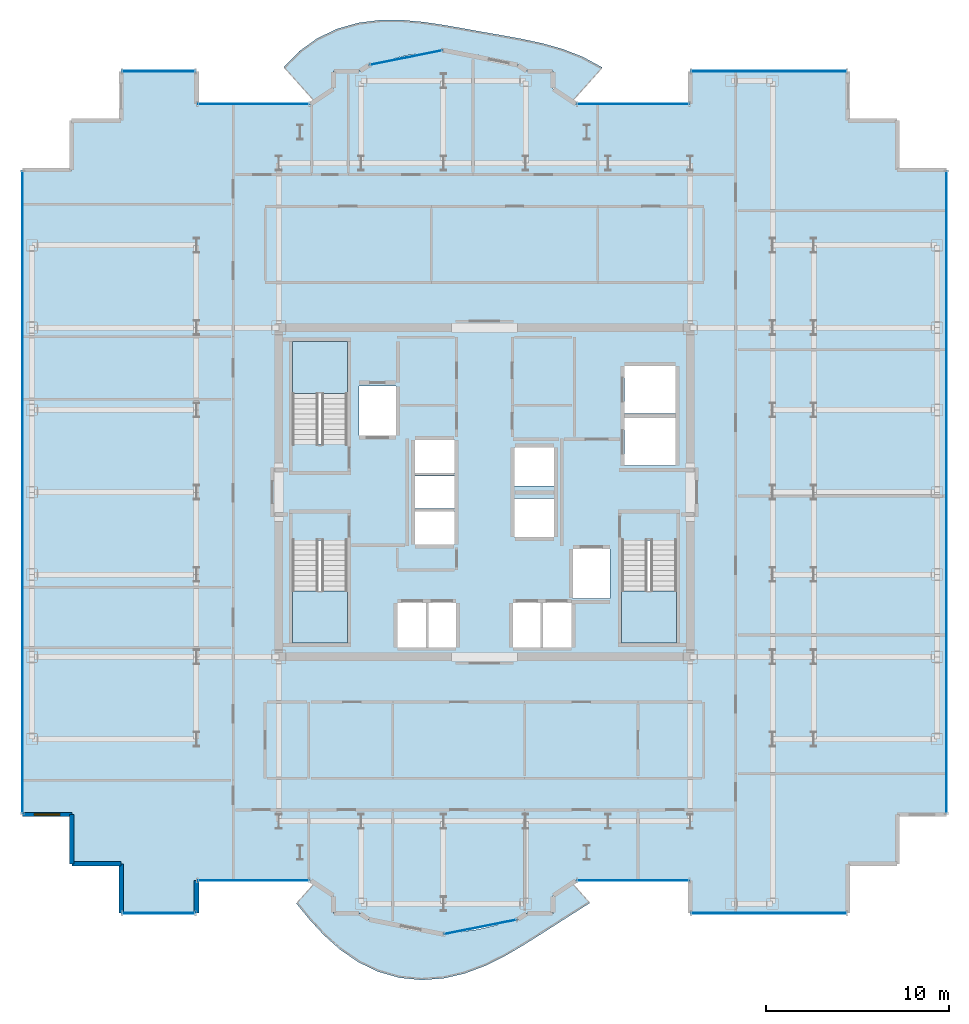
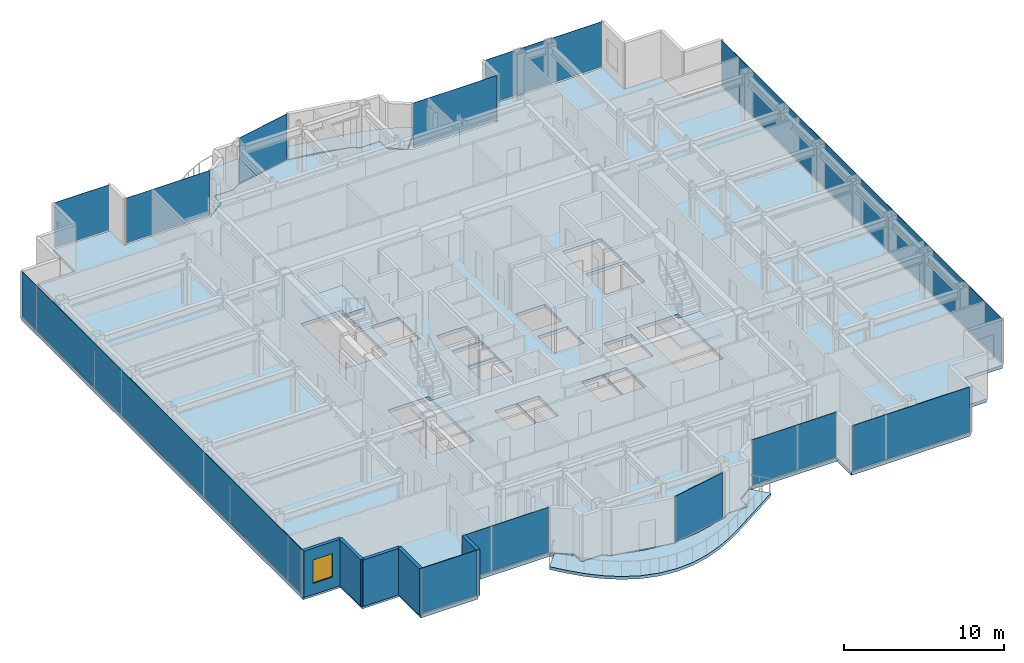
# One storey, part 13 of 21: 12 plates, 6 slabs, 5 walls, 1 window, 1 opening, 15 elements without a shape of their own.
"""IFC4 building model written with IfcOpenShell, lengths in metres."""

from ifc_helpers import new_model, si_unit, direction, frame, frame_2d, origin, origin_2d, place, context, subcontext, project, spatial, polyline, rectangle, outline, extrude, source, transform, mapped, material, layer, layer_set, type_object, element, fill, aggregate, save


model = new_model("IFC4")

# Units and contexts
model_context = context("Model", 3, precision=1e-05, world=origin(), true_north=direction((0.0, 1.0)))
body_context = subcontext(model_context, "Body", "Model", "MODEL_VIEW")
ifc_project = project(units=[si_unit("LENGTHUNIT", "METRE"), si_unit("AREAUNIT", "SQUARE_METRE"), si_unit("VOLUMEUNIT", "CUBIC_METRE"), si_unit("PLANEANGLEUNIT", "RADIAN"), si_unit("MASSUNIT", "GRAM", prefix="KILO")], contexts=[model_context])

# Site, building, storey
site_placement = place(None, origin())
site = spatial("IfcSite", under=ifc_project, at=site_placement, CompositionType="ELEMENT")
building_placement = place(site_placement, origin())
building = spatial("IfcBuilding", under=site, at=building_placement, Name="Nefas-Gora Pilgrimage Tower", CompositionType="ELEMENT")
storey_placement = place(building_placement, frame((0.0, 0.0, 233.199951171875)))
storey = spatial("IfcBuildingStorey", under=building, at=storey_placement, Name="L58", CompositionType="ELEMENT", Elevation=233.199951171875)

# Slabs
ifc_material_1 = material(Name="Concrete C40/50", Category="concrete")
ifc_layer_1 = layer(ifc_material_1, 0.219970703125)
ifc_layer_set_1 = layer_set([ifc_layer_1], Name="Concrete C40/50")
slab_type_1 = type_object("IfcSlabType", Name="SLB-BAL-P3", PredefinedType="FLOOR", material=ifc_layer_set_1)
slab_1_placement = place(storey_placement, frame((0.0, 0.0, -0.219970703125)))
element("IfcSlab", 1, at=slab_1_placement, inside=storey, type_object=slab_type_1, Name="L58 Sinusoidal Lobe Balcony Slab N (Phase 3)", PredefinedType="FLOOR", context=body_context, shape_type="SweptSolid", body=[
    extrude(outline(polyline([(-9.28759765625, 21.385986328125), (-9.224609375, 21.427978515625), (-8.538330078125, 21.9912109375), (-8.260009765625, 22.179931640625), (-8.260009765625, 23.02001953125), (-8.260009765625, 23.02099609375), (-8.259765625, 23.02197265625), (-8.259521484375, 23.02294921875), (-8.25927734375, 23.023681640625), (-8.2587890625, 23.024658203125), (-8.25830078125, 23.025634765625), (-8.2578125, 23.0263671875), (-8.257080078125, 23.027099609375), (-8.25634765625, 23.027587890625), (-8.255615234375, 23.0283203125), (-8.254638671875, 23.02880859375), (-8.25390625, 23.029296875), (-8.2529296875, 23.029541015625), (-8.251953125, 23.02978515625), (-8.2509765625, 23.030029296875), (-8.25, 23.030029296875), (-6.8271484375, 23.030029296875), (-6.31298828125, 23.37353515625), (-6.31201171875, 23.3740234375), (-6.311279296875, 23.37451171875), (-6.310302734375, 23.375), (-6.309326171875, 23.375), (-5.63037109375, 23.51025390625), (-5.102783203125, 23.685302734375), (-4.165283203125, 23.904052734375), (-3.211669921875, 24.035888671875), (-2.919921875, 24.04931640625), (-2.251953125, 24.18212890625), (-2.2509765625, 24.182373046875), (-2.25, 24.182373046875), (-2.2490234375, 24.182373046875), (-2.248046875, 24.18212890625), (-1.580078125, 24.04931640625), (-1.288330078125, 24.035888671875), (-0.334716796875, 23.904052734375), (0.602783203125, 23.685302734375), (1.13037109375, 23.51025390625), (1.809326171875, 23.375), (1.810302734375, 23.375), (1.811279296875, 23.37451171875), (1.81201171875, 23.3740234375), (1.81298828125, 23.37353515625), (2.3271484375, 23.030029296875), (3.75, 23.030029296875), (3.7509765625, 23.030029296875), (3.751953125, 23.02978515625), (3.7529296875, 23.029541015625), (3.75390625, 23.029296875), (3.754638671875, 23.02880859375), (3.755615234375, 23.0283203125), (3.75634765625, 23.027587890625), (3.757080078125, 23.027099609375), (3.7578125, 23.0263671875), (3.75830078125, 23.025634765625), (3.7587890625, 23.024658203125), (3.75927734375, 23.023681640625), (3.759521484375, 23.02294921875), (3.759765625, 23.02197265625), (3.760009765625, 23.02099609375), (3.760009765625, 23.02001953125), (3.760009765625, 22.179931640625), (4.038330078125, 21.9912109375), (4.724609375, 21.427978515625), (4.78759765625, 21.385986328125), (6.4453125, 23.22705078125), (5.391357421875, 23.802978515625), (4.284912109375, 24.234130859375), (3.16455078125, 24.5498046875), (2.055908203125, 24.787353515625), (0.969482421875, 24.985107421875), (-0.099609375, 25.172607421875), (-1.166259765625, 25.3642578125), (-2.25, 25.554931640625), (-3.366455078125, 25.720947265625), (-4.521240234375, 25.824951171875), (-5.70556640625, 25.822509765625), (-6.8955078125, 25.672119140625), (-8.055908203125, 25.343505859375), (-9.14599609375, 24.8232421875), (-10.127197265625, 24.118896484375), (-10.9716796875, 23.25634765625), (-9.28759765625, 21.385986328125)])), origin(), (0.0, 0.0, 1.0), 0.219970703125),
])
ifc_layer_2 = layer(ifc_material_1, 0.22509765625)
ifc_layer_set_2 = layer_set([ifc_layer_2], Name="Concrete C40/50")
slab_type_2 = type_object("IfcSlabType", Name="SLB-BAL-P7", PredefinedType="FLOOR", material=ifc_layer_set_2)
slab_2_placement = place(storey_placement, frame((0.0, 0.0, -0.224853515625)))
element("IfcSlab", 2, at=slab_2_placement, inside=storey, type_object=slab_type_2, Name="L58 Sinusoidal Lobe Balcony Slab S (Phase 7)", PredefinedType="FLOOR", context=body_context, shape_type="SweptSolid", body=[
    extrude(outline(polyline([(4.78759765625, -21.385986328125), (4.724609375, -21.427978515625), (4.038330078125, -21.9912109375), (3.760009765625, -22.179931640625), (3.760009765625, -23.02001953125), (3.760009765625, -23.02099609375), (3.759765625, -23.02197265625), (3.759521484375, -23.02294921875), (3.75927734375, -23.023681640625), (3.7587890625, -23.024658203125), (3.75830078125, -23.025634765625), (3.7578125, -23.0263671875), (3.757080078125, -23.027099609375), (3.75634765625, -23.027587890625), (3.755615234375, -23.0283203125), (3.754638671875, -23.02880859375), (3.75390625, -23.029296875), (3.7529296875, -23.029541015625), (3.751953125, -23.02978515625), (3.7509765625, -23.030029296875), (3.75, -23.030029296875), (2.3271484375, -23.030029296875), (1.81298828125, -23.37353515625), (1.81201171875, -23.3740234375), (1.811279296875, -23.37451171875), (1.810302734375, -23.375), (1.809326171875, -23.375), (1.13037109375, -23.51025390625), (0.602783203125, -23.685302734375), (-0.334716796875, -23.904052734375), (-1.288330078125, -24.035888671875), (-1.580078125, -24.04931640625), (-2.248046875, -24.18212890625), (-2.2490234375, -24.182373046875), (-2.25, -24.182373046875), (-2.2509765625, -24.182373046875), (-2.251953125, -24.18212890625), (-2.919921875, -24.04931640625), (-3.211669921875, -24.035888671875), (-4.165283203125, -23.904052734375), (-5.102783203125, -23.685302734375), (-5.63037109375, -23.51025390625), (-6.309326171875, -23.375), (-6.310302734375, -23.375), (-6.311279296875, -23.37451171875), (-6.31201171875, -23.3740234375), (-6.31298828125, -23.37353515625), (-6.8271484375, -23.030029296875), (-8.25, -23.030029296875), (-8.2509765625, -23.030029296875), (-8.251953125, -23.02978515625), (-8.2529296875, -23.029541015625), (-8.25390625, -23.029296875), (-8.254638671875, -23.02880859375), (-8.255615234375, -23.0283203125), (-8.25634765625, -23.027587890625), (-8.257080078125, -23.027099609375), (-8.2578125, -23.0263671875), (-8.25830078125, -23.025634765625), (-8.2587890625, -23.024658203125), (-8.25927734375, -23.023681640625), (-8.259521484375, -23.02294921875), (-8.259765625, -23.02197265625), (-8.260009765625, -23.02099609375), (-8.260009765625, -23.02001953125), (-8.260009765625, -22.179931640625), (-8.538330078125, -21.9912109375), (-9.224609375, -21.427978515625), (-9.28759765625, -21.385986328125), (-10.282958984375, -22.491455078125), (-9.56689453125, -23.368408203125), (-8.77734375, -24.2216796875), (-7.892578125, -25.01220703125), (-6.9033203125, -25.692138671875), (-5.816650390625, -26.21630859375), (-4.655517578125, -26.548583984375), (-3.453857421875, -26.6708984375), (-2.25, -26.585205078125), (-1.0791015625, -26.314208984375), (0.03466796875, -25.896484375), (1.080322265625, -25.37890625), (2.063720703125, -24.807373046875), (3.001220703125, -24.218505859375), (3.91650390625, -23.6328125), (4.830810546875, -23.052490234375), (5.756591796875, -22.462158203125), (4.78759765625, -21.385986328125)])), origin(), (0.0, 0.0, 1.0), 0.224853515625),
])
ifc_layer_3 = layer(ifc_material_1, 0.25)
ifc_layer_set_3 = layer_set([ifc_layer_3], Name="Concrete C40/50")
slab_type_3 = type_object("IfcSlabType", Name="SLB-TWR-260", PredefinedType="FLOOR", material=ifc_layer_set_3)
slab_3_placement = place(storey_placement, frame((0.0, 0.0, -0.25)))
element("IfcSlab", 3, at=slab_3_placement, inside=storey, type_object=slab_type_3, Name="L58 Structural Floor Slab", PredefinedType="FLOOR", context=body_context, shape_type="SweptSolid", body=[
    extrude(outline(polyline([(5.01806640625, -21.219970703125), (11.25, -21.219970703125), (11.25, -23.02001953125), (19.8701171875, -23.02001953125), (19.8701171875, -20.320068359375), (22.570068359375, -20.320068359375), (22.570068359375, -17.6201171875), (25.27001953125, -17.6201171875), (25.27001953125, 17.6201171875), (22.570068359375, 17.6201171875), (22.570068359375, 20.320068359375), (19.8701171875, 20.320068359375), (19.8701171875, 23.02001953125), (11.25, 23.02001953125), (11.25, 21.219970703125), (5.01806640625, 21.219970703125), (3.75, 22.0673828125), (3.75, 23.02001953125), (2.32421875, 23.02001953125), (1.807373046875, 23.365234375), (-2.25, 24.17236328125), (-6.307373046875, 23.365234375), (-6.82421875, 23.02001953125), (-8.25, 23.02001953125), (-8.25, 22.0673828125), (-9.51806640625, 21.219970703125), (-15.75, 21.219970703125), (-15.75, 23.02001953125), (-19.8701171875, 23.02001953125), (-19.8701171875, 20.320068359375), (-22.570068359375, 20.320068359375), (-22.570068359375, 17.6201171875), (-25.27001953125, 17.6201171875), (-25.27001953125, -17.6201171875), (-22.570068359375, -17.6201171875), (-22.570068359375, -20.320068359375), (-19.8701171875, -20.320068359375), (-19.8701171875, -23.02001953125), (-15.75, -23.02001953125), (-15.75, -21.219970703125), (-9.51806640625, -21.219970703125), (-8.25, -22.0673828125), (-8.25, -23.02001953125), (-6.82421875, -23.02001953125), (-6.307373046875, -23.365234375), (-2.25, -24.17236328125), (1.807373046875, -23.365234375), (2.32421875, -23.02001953125), (3.75, -23.02001953125), (3.75, -22.0673828125), (5.01806640625, -21.219970703125)]), holes=[polyline([(-10.5, 2.639892578125), (-10.5, 8.25), (-7.5, 8.25), (-7.5, 2.639892578125), (-10.5, 2.639892578125)]), polyline([(10.5, -2.639892578125), (10.5, -8.25), (7.5, -8.25), (7.5, -2.639892578125), (10.5, -2.639892578125)]), polyline([(-7.5, -2.639892578125), (-7.5, -8.25), (-10.5, -8.25), (-10.5, -2.639892578125), (-7.5, -2.639892578125)]), polyline([(-6.85009765625, 5.800048828125), (-4.85009765625, 5.800048828125), (-4.85009765625, 3.10009765625), (-6.85009765625, 3.10009765625), (-6.85009765625, 5.800048828125)]), polyline([(4.85009765625, -3.10009765625), (6.85009765625, -3.10009765625), (6.85009765625, -5.800048828125), (4.85009765625, -5.800048828125), (4.85009765625, -3.10009765625)]), polyline([(7.64990234375, 4.050048828125), (10.449951171875, 4.050048828125), (10.449951171875, 1.449951171875), (7.64990234375, 1.449951171875), (7.64990234375, 4.050048828125)]), polyline([(7.64990234375, 6.89990234375), (10.449951171875, 6.89990234375), (10.449951171875, 4.300048828125), (7.64990234375, 4.300048828125), (7.64990234375, 6.89990234375)]), polyline([(-4.75, -6.050048828125), (-3.14990234375, -6.050048828125), (-3.14990234375, -8.5), (-4.75, -8.5), (-4.75, -6.050048828125)]), polyline([(-3.10009765625, -6.050048828125), (-1.550048828125, -6.050048828125), (-1.550048828125, -8.5), (-3.10009765625, -8.5), (-3.10009765625, -6.050048828125)]), polyline([(1.550048828125, -6.050048828125), (3.10009765625, -6.050048828125), (3.10009765625, -8.5), (1.550048828125, -8.5), (1.550048828125, -6.050048828125)]), polyline([(3.14990234375, -6.050048828125), (4.75, -6.050048828125), (4.75, -8.5), (3.14990234375, -8.5), (3.14990234375, -6.050048828125)]), polyline([(-3.800048828125, -1.050048828125), (-1.64990234375, -1.050048828125), (-1.64990234375, -2.85009765625), (-3.800048828125, -2.85009765625), (-3.800048828125, -1.050048828125)]), polyline([(-3.800048828125, 0.89990234375), (-1.64990234375, 0.89990234375), (-1.64990234375, -0.89990234375), (-3.800048828125, -0.89990234375), (-3.800048828125, 0.89990234375)]), polyline([(-3.800048828125, 2.85009765625), (-1.64990234375, 2.85009765625), (-1.64990234375, 1.050048828125), (-3.800048828125, 1.050048828125), (-3.800048828125, 2.85009765625)]), polyline([(1.64990234375, -0.35009765625), (3.800048828125, -0.35009765625), (3.800048828125, -2.449951171875), (1.64990234375, -2.449951171875), (1.64990234375, -0.35009765625)]), polyline([(1.64990234375, 2.449951171875), (3.800048828125, 2.449951171875), (3.800048828125, 0.35009765625), (1.64990234375, 0.35009765625), (1.64990234375, 2.449951171875)])]), origin(), (0.0, 0.0, 1.0), 0.25),
])

# Stair, slab
ifc_material_2 = material(Name="Concrete C45/55", Category="concrete")
stair_type = type_object("IfcStairType", Name="STR-1400-R1727", PredefinedType="HALF_TURN_STAIR", material=ifc_material_2)
stair_1_placement = place(storey_placement, origin())
stair_1 = element("IfcStair", 4, at=stair_1_placement, inside=storey, type_object=stair_type, Name="L58 Pressurised Tower Exit Stair ST-01", PredefinedType="HALF_TURN_STAIR")
ifc_layer_4 = layer(ifc_material_1, 0.199951171875)
ifc_layer_set_4 = layer_set([ifc_layer_4], Name="Concrete C40/50")
slab_type_4 = type_object("IfcSlabType", Name="STR-LAND-200", PredefinedType="LANDING", material=ifc_layer_set_4)
slab_4_placement = place(storey_placement, frame((0.0, 0.0, 1.699951171875)))
slab_4 = element("IfcSlab", 5, at=slab_4_placement, type_object=slab_type_4, Name="ST-01 landing 1", PredefinedType="LANDING", context=body_context, shape_type="SweptSolid", body=[
    extrude(outline(polyline([(-7.5, 5.39990234375), (-7.5, 8.25), (-10.5, 8.25), (-10.5, 5.39990234375), (-7.5, 5.39990234375)])), origin(), (0.0, 0.0, 1.0), 0.2001953125),
])
aggregate(stair_1, [slab_4])

stair_2_placement = place(storey_placement, origin())
stair_2 = element("IfcStair", 6, at=stair_2_placement, inside=storey, type_object=stair_type, Name="L58 Pressurised Tower Exit Stair ST-02", PredefinedType="HALF_TURN_STAIR")
slab_5_placement = place(storey_placement, frame((0.0, 0.0, 1.699951171875)))
slab_5 = element("IfcSlab", 7, at=slab_5_placement, type_object=slab_type_4, Name="ST-02 landing 1", PredefinedType="LANDING", context=body_context, shape_type="SweptSolid", body=[
    extrude(outline(polyline([(7.5, -5.39990234375), (7.5, -8.25), (10.5, -8.25), (10.5, -5.39990234375), (7.5, -5.39990234375)])), origin(), (0.0, 0.0, 1.0), 0.2001953125),
])
aggregate(stair_2, [slab_5])

stair_3_placement = place(storey_placement, origin())
stair_3 = element("IfcStair", 8, at=stair_3_placement, inside=storey, type_object=stair_type, Name="L58 Pressurised Tower Exit Stair ST-03", PredefinedType="HALF_TURN_STAIR")
slab_6_placement = place(storey_placement, frame((0.0, 0.0, 1.699951171875)))
slab_6 = element("IfcSlab", 9, at=slab_6_placement, type_object=slab_type_4, Name="ST-03 landing 1", PredefinedType="LANDING", context=body_context, shape_type="SweptSolid", body=[
    extrude(outline(polyline([(-10.5, -5.39990234375), (-10.5, -8.25), (-7.5, -8.25), (-7.5, -5.39990234375), (-10.5, -5.39990234375)])), origin(), (0.0, 0.0, 1.0), 0.2001953125),
])
aggregate(stair_3, [slab_6])

# Curtain wall, plate
ifc_material_3 = material(Name="Dark ceramic-fritted solar-control aluminium-glass curtain wall", Category="aluminium")
ifc_layer_5 = layer(ifc_material_3, 0.219970703125)
ifc_layer_set_5 = layer_set([ifc_layer_5], Name="Dark ceramic-fritted solar-control aluminium-glass curtain wall")
curtain_wall_type_1 = type_object("IfcCurtainWallType", Name="CW-SYS-5", PredefinedType="NOTDEFINED", material=ifc_layer_set_5)
curtain_wall_1_placement = place(storey_placement, origin())
curtain_wall_1 = element("IfcCurtainWall", 10, at=curtain_wall_1_placement, inside=storey, type_object=curtain_wall_type_1, Name="L58 Unitised Curtain Wall CW5", PredefinedType="NOTDEFINED")
ifc_material_4 = material(Name="Dark ceramic-printed low-e insulated glass", Category="glass")
ifc_layer_6 = layer(ifc_material_4, 0.028076171875)
ifc_layer_set_6 = layer_set([ifc_layer_6], Name="Dark ceramic-printed low-e insulated glass")
plate_type_1 = type_object("IfcPlateType", Name="CWP-PNL-5", PredefinedType="CURTAIN_PANEL", material=ifc_layer_set_6)
shared_shape_1 = source(origin(), body_context, "Body", "SweptSolid", [
    extrude(rectangle(XDim=6.052001953125, YDim=0.028076171875, at=origin_2d()), origin(), (0.0, 0.0, 1.0), 3.43994140625),
])
plate_1_placement = place(storey_placement, frame((8.134033203125, -21.219970703125, 0.10009765625), z_axis=(0.0, 0.0, 1.0), x_axis=(1.0, 0.0, 0.0)))
plate_1 = element("IfcPlate", 11, at=plate_1_placement, type_object=plate_type_1, Name="CW5 Ceramic-Fritted Glazing Panel 1", PredefinedType="CURTAIN_PANEL", context=body_context, shape_type="MappedRepresentation", body=[
    mapped(shared_shape_1, transform((0.0, 0.0, 0.0), x_axis=(1.0, 0.0, 0.0), y_axis=(0.0, 1.0, 0.0), z_axis=(0.0, 0.0, 1.0), scale=1.0)),
])
aggregate(curtain_wall_1, [plate_1])

curtain_wall_2_placement = place(storey_placement, origin())
curtain_wall_2 = element("IfcCurtainWall", 12, at=curtain_wall_2_placement, inside=storey, type_object=curtain_wall_type_1, Name="L58 Unitised Curtain Wall CW5", PredefinedType="NOTDEFINED")
plate_2_placement = place(storey_placement, frame((8.134033203125, 21.219970703125, 0.10009765625), z_axis=(0.0, 0.0, 1.0), x_axis=(-1.0, 0.0, 0.0)))
plate_2 = element("IfcPlate", 13, at=plate_2_placement, type_object=plate_type_1, Name="CW5 Ceramic-Fritted Glazing Panel 1", PredefinedType="CURTAIN_PANEL", context=body_context, shape_type="MappedRepresentation", body=[
    mapped(shared_shape_1, transform((0.0, 0.0, 0.0), x_axis=(1.0, 0.0, 0.0), y_axis=(0.0, 1.0, 0.0), z_axis=(0.0, 0.0, 1.0), scale=1.0)),
])
aggregate(curtain_wall_2, [plate_2])

curtain_wall_3_placement = place(storey_placement, origin())
curtain_wall_3 = element("IfcCurtainWall", 14, at=curtain_wall_3_placement, inside=storey, type_object=curtain_wall_type_1, Name="L58 Unitised Curtain Wall CW5", PredefinedType="NOTDEFINED")
plate_3_placement = place(storey_placement, frame((-12.634033203125, 21.219970703125, 0.10009765625), z_axis=(0.0, 0.0, 1.0), x_axis=(-1.0, 0.0, 0.0)))
plate_3 = element("IfcPlate", 15, at=plate_3_placement, type_object=plate_type_1, Name="CW5 Ceramic-Fritted Glazing Panel 1", PredefinedType="CURTAIN_PANEL", context=body_context, shape_type="MappedRepresentation", body=[
    mapped(shared_shape_1, transform((0.0, 0.0, 0.0), x_axis=(1.0, 0.0, 0.0), y_axis=(0.0, 1.0, 0.0), z_axis=(0.0, 0.0, 1.0), scale=1.0)),
])
aggregate(curtain_wall_3, [plate_3])

curtain_wall_4_placement = place(storey_placement, origin())
curtain_wall_4 = element("IfcCurtainWall", 16, at=curtain_wall_4_placement, inside=storey, type_object=curtain_wall_type_1, Name="L58 Unitised Curtain Wall CW5", PredefinedType="NOTDEFINED")
plate_4_placement = place(storey_placement, frame((-12.634033203125, -21.219970703125, 0.10009765625), z_axis=(0.0, 0.0, 1.0), x_axis=(1.0, 0.0, 0.0)))
plate_4 = element("IfcPlate", 17, at=plate_4_placement, type_object=plate_type_1, Name="CW5 Ceramic-Fritted Glazing Panel 1", PredefinedType="CURTAIN_PANEL", context=body_context, shape_type="MappedRepresentation", body=[
    mapped(shared_shape_1, transform((0.0, 0.0, 0.0), x_axis=(1.0, 0.0, 0.0), y_axis=(0.0, 1.0, 0.0), z_axis=(0.0, 0.0, 1.0), scale=1.0)),
])
aggregate(curtain_wall_4, [plate_4])

curtain_wall_5_placement = place(storey_placement, origin())
curtain_wall_5 = element("IfcCurtainWall", 18, at=curtain_wall_5_placement, inside=storey, type_object=curtain_wall_type_1, Name="L58 Unitised Curtain Wall CW5", PredefinedType="NOTDEFINED")
shared_shape_2 = source(origin(), body_context, "Body", "SweptSolid", [
    extrude(rectangle(XDim=3.956787109375, YDim=0.028076171875, at=origin_2d()), origin(), (0.0, 0.0, 1.0), 3.43994140625),
])
plate_5_placement = place(storey_placement, frame((-4.278564453125, 23.768798828125, 0.10009765625), z_axis=(0.0, 0.0, 1.0), x_axis=(-0.980782896852, -0.195102304554, 0.0)))
plate_5 = element("IfcPlate", 19, at=plate_5_placement, type_object=plate_type_1, Name="CW5 Ceramic-Fritted Glazing Panel 1", PredefinedType="CURTAIN_PANEL", context=body_context, shape_type="MappedRepresentation", body=[
    mapped(shared_shape_2, transform((0.0, 0.0, 0.0), x_axis=(1.0, 0.0, 0.0), y_axis=(0.0, 1.0, 0.0), z_axis=(0.0, 0.0, 1.0), scale=1.0)),
])
aggregate(curtain_wall_5, [plate_5])

curtain_wall_6_placement = place(storey_placement, origin())
curtain_wall_6 = element("IfcCurtainWall", 20, at=curtain_wall_6_placement, inside=storey, type_object=curtain_wall_type_1, Name="L58 Unitised Curtain Wall CW5", PredefinedType="NOTDEFINED")
plate_6_placement = place(storey_placement, frame((-0.221435546875, -23.768798828125, 0.10009765625), z_axis=(0.0, 0.0, 1.0), x_axis=(0.980782896852, 0.195102304554, 0.0)))
plate_6 = element("IfcPlate", 21, at=plate_6_placement, type_object=plate_type_1, Name="CW5 Ceramic-Fritted Glazing Panel 1", PredefinedType="CURTAIN_PANEL", context=body_context, shape_type="MappedRepresentation", body=[
    mapped(shared_shape_2, transform((0.0, 0.0, 0.0), x_axis=(1.0, 0.0, 0.0), y_axis=(0.0, 1.0, 0.0), z_axis=(0.0, 0.0, 1.0), scale=1.0)),
])
aggregate(curtain_wall_6, [plate_6])

ifc_layer_7 = layer(ifc_material_3, 0.219970703125)
ifc_layer_set_7 = layer_set([ifc_layer_7], Name="Dark ceramic-fritted solar-control aluminium-glass curtain wall")
curtain_wall_type_2 = type_object("IfcCurtainWallType", Name="CW-SYS-3", PredefinedType="NOTDEFINED", material=ifc_layer_set_7)
curtain_wall_7_placement = place(storey_placement, origin())
curtain_wall_7 = element("IfcCurtainWall", 22, at=curtain_wall_7_placement, inside=storey, type_object=curtain_wall_type_2, Name="L58 Unitised Curtain Wall CW3", PredefinedType="NOTDEFINED")
ifc_layer_8 = layer(ifc_material_4, 0.033935546875)
ifc_layer_set_8 = layer_set([ifc_layer_8], Name="Dark ceramic-printed low-e insulated glass")
plate_type_2 = type_object("IfcPlateType", Name="CWP-PNL-3", PredefinedType="CURTAIN_PANEL", material=ifc_layer_set_8)
shared_shape_3 = source(origin(), body_context, "Body", "SweptSolid", [
    extrude(rectangle(XDim=8.43994140625, YDim=0.033935546875, at=origin_2d()), origin(), (0.0, 0.0, 1.0), 3.43994140625),
])
plate_7_placement = place(storey_placement, frame((15.56005859375, -23.02001953125, 0.10009765625), z_axis=(0.0, 0.0, 1.0), x_axis=(1.0, 0.0, 0.0)))
plate_7 = element("IfcPlate", 23, at=plate_7_placement, type_object=plate_type_2, Name="CW3 Ceramic-Fritted Glazing Panel 1", PredefinedType="CURTAIN_PANEL", context=body_context, shape_type="MappedRepresentation", body=[
    mapped(shared_shape_3, transform((0.0, 0.0, 0.0), x_axis=(1.0, 0.0, 0.0), y_axis=(0.0, 1.0, 0.0), z_axis=(0.0, 0.0, 1.0), scale=1.0)),
])
aggregate(curtain_wall_7, [plate_7])

curtain_wall_8_placement = place(storey_placement, origin())
curtain_wall_8 = element("IfcCurtainWall", 24, at=curtain_wall_8_placement, inside=storey, type_object=curtain_wall_type_2, Name="L58 Unitised Curtain Wall CW3", PredefinedType="NOTDEFINED")
plate_8_placement = place(storey_placement, frame((15.56005859375, 23.02001953125, 0.10009765625), z_axis=(0.0, 0.0, 1.0), x_axis=(-1.0, 0.0, 0.0)))
plate_8 = element("IfcPlate", 25, at=plate_8_placement, type_object=plate_type_2, Name="CW3 Ceramic-Fritted Glazing Panel 1", PredefinedType="CURTAIN_PANEL", context=body_context, shape_type="MappedRepresentation", body=[
    mapped(shared_shape_3, transform((0.0, 0.0, 0.0), x_axis=(1.0, 0.0, 0.0), y_axis=(0.0, 1.0, 0.0), z_axis=(0.0, 0.0, 1.0), scale=1.0)),
])
aggregate(curtain_wall_8, [plate_8])

curtain_wall_9_placement = place(storey_placement, origin())
curtain_wall_9 = element("IfcCurtainWall", 26, at=curtain_wall_9_placement, inside=storey, type_object=curtain_wall_type_2, Name="L58 Unitised Curtain Wall CW3", PredefinedType="NOTDEFINED")
shared_shape_4 = source(origin(), body_context, "Body", "SweptSolid", [
    extrude(rectangle(XDim=35.06005859375, YDim=0.033935546875, at=origin_2d()), origin(), (0.0, 0.0, 1.0), 3.43994140625),
])
plate_9_placement = place(storey_placement, frame((25.27001953125, 0.0, 0.10009765625), z_axis=(0.0, 0.0, 1.0), x_axis=(0.0, 1.0, 0.0)))
plate_9 = element("IfcPlate", 27, at=plate_9_placement, type_object=plate_type_2, Name="CW3 Ceramic-Fritted Glazing Panel 1", PredefinedType="CURTAIN_PANEL", context=body_context, shape_type="MappedRepresentation", body=[
    mapped(shared_shape_4, transform((0.0, 0.0, 0.0), x_axis=(1.0, 0.0, 0.0), y_axis=(0.0, 1.0, 0.0), z_axis=(0.0, 0.0, 1.0), scale=1.0)),
])
aggregate(curtain_wall_9, [plate_9])

curtain_wall_10_placement = place(storey_placement, origin())
curtain_wall_10 = element("IfcCurtainWall", 28, at=curtain_wall_10_placement, inside=storey, type_object=curtain_wall_type_2, Name="L58 Unitised Curtain Wall CW3", PredefinedType="NOTDEFINED")
plate_10_placement = place(storey_placement, frame((-25.27001953125, 0.0, 0.10009765625), z_axis=(0.0, 0.0, 1.0), x_axis=(0.0, -1.0, 0.0)))
plate_10 = element("IfcPlate", 29, at=plate_10_placement, type_object=plate_type_2, Name="CW3 Ceramic-Fritted Glazing Panel 1", PredefinedType="CURTAIN_PANEL", context=body_context, shape_type="MappedRepresentation", body=[
    mapped(shared_shape_4, transform((0.0, 0.0, 0.0), x_axis=(1.0, 0.0, 0.0), y_axis=(0.0, 1.0, 0.0), z_axis=(0.0, 0.0, 1.0), scale=1.0)),
])
aggregate(curtain_wall_10, [plate_10])

curtain_wall_11_placement = place(storey_placement, origin())
curtain_wall_11 = element("IfcCurtainWall", 30, at=curtain_wall_11_placement, inside=storey, type_object=curtain_wall_type_2, Name="L58 Unitised Curtain Wall CW3", PredefinedType="NOTDEFINED")
shared_shape_5 = source(origin(), body_context, "Body", "SweptSolid", [
    extrude(rectangle(XDim=3.93994140625, YDim=0.033935546875, at=origin_2d()), origin(), (0.0, 0.0, 1.0), 3.43994140625),
])
plate_11_placement = place(storey_placement, frame((-17.81005859375, 23.02001953125, 0.10009765625), z_axis=(0.0, 0.0, 1.0), x_axis=(-1.0, 0.0, 0.0)))
plate_11 = element("IfcPlate", 31, at=plate_11_placement, type_object=plate_type_2, Name="CW3 Ceramic-Fritted Glazing Panel 1", PredefinedType="CURTAIN_PANEL", context=body_context, shape_type="MappedRepresentation", body=[
    mapped(shared_shape_5, transform((0.0, 0.0, 0.0), x_axis=(1.0, 0.0, 0.0), y_axis=(0.0, 1.0, 0.0), z_axis=(0.0, 0.0, 1.0), scale=1.0)),
])
aggregate(curtain_wall_11, [plate_11])

curtain_wall_12_placement = place(storey_placement, origin())
curtain_wall_12 = element("IfcCurtainWall", 32, at=curtain_wall_12_placement, inside=storey, type_object=curtain_wall_type_2, Name="L58 Unitised Curtain Wall CW3", PredefinedType="NOTDEFINED")
plate_12_placement = place(storey_placement, frame((-17.81005859375, -23.02001953125, 0.10009765625), z_axis=(0.0, 0.0, 1.0), x_axis=(1.0, 0.0, 0.0)))
plate_12 = element("IfcPlate", 33, at=plate_12_placement, type_object=plate_type_2, Name="CW3 Ceramic-Fritted Glazing Panel 1", PredefinedType="CURTAIN_PANEL", context=body_context, shape_type="MappedRepresentation", body=[
    mapped(shared_shape_5, transform((0.0, 0.0, 0.0), x_axis=(1.0, 0.0, 0.0), y_axis=(0.0, 1.0, 0.0), z_axis=(0.0, 0.0, 1.0), scale=1.0)),
])
aggregate(curtain_wall_12, [plate_12])

# Wall
ifc_material_5 = material(Name="Precast concrete C40/50", Category="concrete")
ifc_layer_9 = layer(ifc_material_5, 0.260009765625)
ifc_layer_set_9 = layer_set([ifc_layer_9], Name="Precast concrete C40/50")
wall_type_1 = type_object("IfcWallType", Name="EW-PORTAL-260", PredefinedType="SOLIDWALL", material=ifc_layer_set_9)
shared_shape_6 = source(origin(), body_context, "Body", "SweptSolid", [
    extrude(rectangle(XDim=1.800048828125, YDim=0.260009765625, at=frame_2d((0.89990234375, 0.0))), origin(), (0.0, 0.0, 1.0), 3.550048828125),
])
wall_1_placement = place(storey_placement, frame((-15.75, -23.02001953125, 0.0), z_axis=(0.0, 0.0, 1.0), x_axis=(0.0, 1.0, 0.0)))
element("IfcWall", 34, at=wall_1_placement, inside=storey, type_object=wall_type_1, Name="L58 Lobe Shoulder Precast Spandrel Pier 29", PredefinedType="SOLIDWALL", context=body_context, shape_type="MappedRepresentation", body=[
    mapped(shared_shape_6, transform((0.0, 0.0, 0.0), x_axis=(1.0, 0.0, 0.0), y_axis=(0.0, 1.0, 0.0), z_axis=(0.0, 0.0, 1.0), scale=1.0)),
])

# Wall, opening, window
ifc_material_6 = material(Name="Precast concrete C45/55", Category="concrete")
ifc_layer_10 = layer(ifc_material_6, 0.239990234375)
ifc_layer_set_10 = layer_set([ifc_layer_10], Name="Precast concrete C45/55")
wall_type_2 = type_object("IfcWallType", Name="EW-SERR-240", PredefinedType="SHEAR", material=ifc_layer_set_10)
shared_shape_7 = source(origin(), body_context, "Body", "SweptSolid", [
    extrude(rectangle(XDim=2.699951171875, YDim=0.239990234375, at=frame_2d((1.35009765625, 0.0))), origin(), (0.0, 0.0, 1.0), 3.550048828125),
])
wall_2_placement = place(storey_placement, frame((-25.27001953125, -17.6201171875, 0.0), z_axis=(0.0, 0.0, 1.0), x_axis=(1.0, 0.0, 0.0)))
wall_2 = element("IfcWall", 35, at=wall_2_placement, inside=storey, type_object=wall_type_2, Name="L58 Serrated Corner Shear Pier Wall 25", PredefinedType="SHEAR", context=body_context, shape_type="MappedRepresentation", body=[
    mapped(shared_shape_7, transform((0.0, 0.0, 0.0), x_axis=(1.0, 0.0, 0.0), y_axis=(0.0, 1.0, 0.0), z_axis=(0.0, 0.0, 1.0), scale=1.0)),
])
opening_placement = place(wall_2_placement, frame((0.64990234375, 0.0, 0.85009765625)))
opening = element("IfcOpeningElement", 36, at=opening_placement, cuts=wall_2, Name="Opening W-V2", PredefinedType="OPENING", context=body_context, shape_type="SweptSolid", body=[
    extrude(rectangle(XDim=1.39990234375, YDim=1.800048828125, at=frame_2d((0.699951171875, 0.89990234375))), frame((0.0, 0.1298828125, 0.0), z_axis=(0.0, -1.0, 0.0), x_axis=(1.0, 0.0, 0.0)), (0.0, 0.0, 1.0), 0.260009765625),
])
ifc_material_7 = material(Name="Dark ceramic-fritted operable aluminium-glass window", Category="aluminium")
window_type = type_object("IfcWindowType", Name="WIN-VENT-1400x1800", PartitioningType="SINGLE_PANEL", PredefinedType="WINDOW", material=ifc_material_7)
shared_shape_8 = source(origin(), body_context, "Body", "SweptSolid", [
    extrude(rectangle(XDim=1.39990234375, YDim=1.800048828125, at=frame_2d((0.699951171875, 0.89990234375))), frame((0.0, 0.030029296875, 0.0), z_axis=(0.0, -1.0, 0.0), x_axis=(1.0, 0.0, 0.0)), (0.0, 0.0, 1.0), 0.06005859375),
])
window_placement = place(opening_placement, origin())
window = element("IfcWindow", 37, at=window_placement, inside=storey, type_object=window_type, Name="L58 Operable Parallel-Outswing Window 25", OverallHeight=1.800048828125, OverallWidth=1.39990234375, PartitioningType="SINGLE_PANEL", PredefinedType="WINDOW", context=body_context, shape_type="MappedRepresentation", body=[
    mapped(shared_shape_8, transform((0.0, 0.0, 0.0), x_axis=(1.0, 0.0, 0.0), y_axis=(0.0, 1.0, 0.0), z_axis=(0.0, 0.0, 1.0), scale=1.0)),
])
fill(opening, window)

# Walls
for number, where, z_axis, x_axis, name in (
    (38, (-22.570068359375, -17.6201171875, 0.0), (0.0, 0.0, 1.0), (0.0, -1.0, 0.0), "L58 Serrated Corner Shear Pier Wall 26"),
    (39, (-22.570068359375, -20.320068359375, 0.0), (0.0, 0.0, 1.0), (1.0, 0.0, 0.0), "L58 Serrated Corner Shear Pier Wall 27"),
    (40, (-19.8701171875, -20.320068359375, 0.0), (0.0, 0.0, 1.0), (0.0, -1.0, 0.0), "L58 Serrated Corner Shear Pier Wall 28"),
):
    element("IfcWall", number, at=place(storey_placement, frame(where, z_axis=z_axis, x_axis=x_axis)), inside=storey, type_object=wall_type_2, Name=name, PredefinedType="SHEAR", context=body_context, shape_type="MappedRepresentation", body=[
        mapped(shared_shape_7, transform((0.0, 0.0, 0.0), x_axis=(1.0, 0.0, 0.0), y_axis=(0.0, 1.0, 0.0), z_axis=(0.0, 0.0, 1.0), scale=1.0)),
    ])

save(model, "model.ifc")
